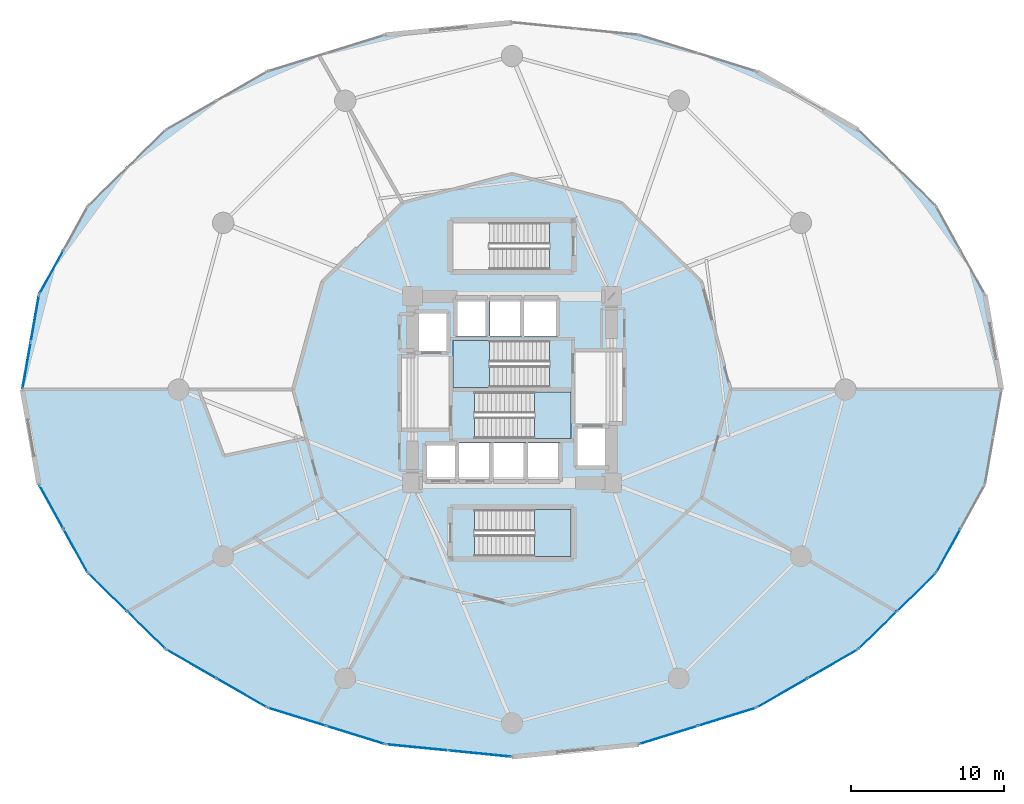
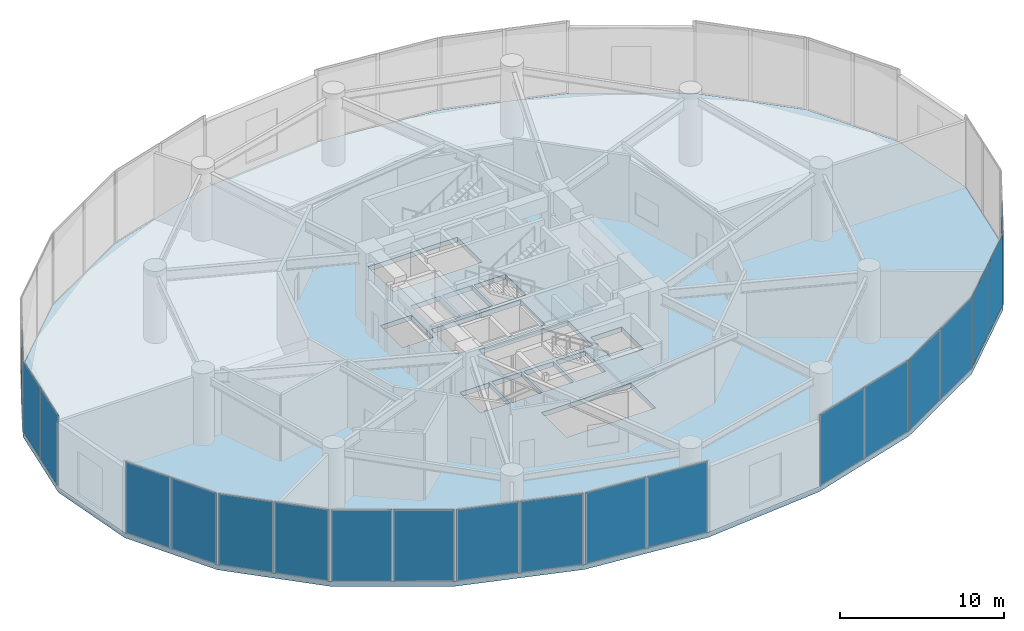
# One storey, part 20 of 29: 20 plates, 4 slabs, 14 elements without a shape of their own.
"""IFC4 building model written with IfcOpenShell, lengths in metres."""

from ifc_helpers import new_model, si_unit, direction, frame, origin, origin_2d, place, context, subcontext, project, spatial, polyline, rectangle, outline, extrude, source, transform, mapped, material, layer, layer_set, type_object, element, aggregate, save


model = new_model("IFC4")

# Units and contexts
model_context = context("Model", 3, precision=1e-05, world=origin(), true_north=direction((0.0, 1.0)))
body_context = subcontext(model_context, "Body", "Model", "MODEL_VIEW")
ifc_project = project(units=[si_unit("LENGTHUNIT", "METRE"), si_unit("AREAUNIT", "SQUARE_METRE"), si_unit("VOLUMEUNIT", "CUBIC_METRE"), si_unit("PLANEANGLEUNIT", "RADIAN"), si_unit("MASSUNIT", "GRAM", prefix="KILO")], contexts=[model_context])

# Site, building, storey
site_placement = place(None, origin())
site = spatial("IfcSite", under=ifc_project, at=site_placement, CompositionType="ELEMENT")
building_placement = place(site_placement, origin())
building = spatial("IfcBuilding", under=site, at=building_placement, Name="Solvirekh Grand Hotel", CompositionType="ELEMENT")
storey_placement = place(building_placement, frame((0.0, 0.0, 7.199951171875)))
storey = spatial("IfcBuildingStorey", under=building, at=storey_placement, Name="L01", CompositionType="ELEMENT", Elevation=7.199951171875)

# Stair, slab
ifc_material_1 = material(Name="Concrete C40/50", Category="concrete")
stair_type_1 = type_object("IfcStairType", Name="Stair_Pod_1600", PredefinedType="HALF_TURN_STAIR", material=ifc_material_1)
stair_1_placement = place(storey_placement, origin())
stair_1 = element("IfcStair", 1, at=stair_1_placement, inside=storey, type_object=stair_type_1, Name="L01 Enclosed exit stair ST-3", PredefinedType="HALF_TURN_STAIR")
ifc_layer_1 = layer(ifc_material_1, 0.219970703125)
ifc_layer_set_1 = layer_set([ifc_layer_1], Name="Concrete C40/50")
slab_type_1 = type_object("IfcSlabType", Name="Landing_PodStair_220", PredefinedType="LANDING", material=ifc_layer_set_1)
slab_1_placement = place(storey_placement, frame((0.0, 0.0, 2.5)))
slab_1 = element("IfcSlab", 2, at=slab_1_placement, type_object=slab_type_1, Name="ST-3 landing 1", PredefinedType="LANDING", context=body_context, shape_type="SweptSolid", body=[
    extrude(outline(polyline([(1.469970703125, -10.89990234375), (3.85009765625, -10.89990234375), (3.85009765625, -7.85009765625), (1.469970703125, -7.85009765625), (1.469970703125, -10.89990234375)])), origin(), (0.0, 0.0, 1.0), 0.199951171875),
])
aggregate(stair_1, [slab_1])

stair_type_2 = type_object("IfcStairType", Name="Stair_Core_1450", PredefinedType="HALF_TURN_STAIR", material=ifc_material_1)
stair_2_placement = place(storey_placement, origin())
stair_2 = element("IfcStair", 3, at=stair_2_placement, inside=storey, type_object=stair_type_2, Name="L01 Enclosed exit stair ST-1", PredefinedType="HALF_TURN_STAIR")
ifc_layer_2 = layer(ifc_material_1, 0.199951171875)
ifc_layer_set_2 = layer_set([ifc_layer_2], Name="Concrete C40/50")
slab_type_2 = type_object("IfcSlabType", Name="Landing_Stair_200", PredefinedType="LANDING", material=ifc_layer_set_2)
slab_2_placement = place(storey_placement, frame((0.0, 0.0, 2.5)))
slab_2 = element("IfcSlab", 4, at=slab_2_placement, type_object=slab_type_2, Name="ST-1 landing 1", PredefinedType="LANDING", context=body_context, shape_type="SweptSolid", body=[
    extrude(outline(polyline([(1.469970703125, -3.199951171875), (3.85009765625, -3.199951171875), (3.85009765625, -0.14990234375), (1.469970703125, -0.14990234375), (1.469970703125, -3.199951171875)])), origin(), (0.0, 0.0, 1.0), 0.199951171875),
])
aggregate(stair_2, [slab_2])

stair_3_placement = place(storey_placement, origin())
stair_3 = element("IfcStair", 5, at=stair_3_placement, inside=storey, type_object=stair_type_2, Name="L01 Enclosed exit stair ST-2", PredefinedType="HALF_TURN_STAIR")
slab_3_placement = place(storey_placement, frame((0.0, 0.0, 2.5)))
slab_3 = element("IfcSlab", 6, at=slab_3_placement, type_object=slab_type_2, Name="ST-2 landing 1", PredefinedType="LANDING", context=body_context, shape_type="SweptSolid", body=[
    extrude(outline(polyline([(-1.469970703125, 3.199951171875), (-3.85009765625, 3.199951171875), (-3.85009765625, 0.14990234375), (-1.469970703125, 0.14990234375), (-1.469970703125, 3.199951171875)])), origin(), (0.0, 0.0, 1.0), 0.199951171875),
])
aggregate(stair_3, [slab_3])

# Slab
ifc_material_2 = material(Name="Concrete C50/60", Category="concrete")
ifc_layer_3 = layer(ifc_material_2, 0.360107421875)
ifc_layer_set_3 = layer_set([ifc_layer_3], Name="Concrete C50/60")
slab_type_3 = type_object("IfcSlabType", Name="Slab_Podium_360", PredefinedType="FLOOR", material=ifc_layer_set_3)
slab_4_placement = place(storey_placement, frame((0.0, 0.0, -0.35986328125)))
element("IfcSlab", 7, at=slab_4_placement, inside=storey, type_object=slab_type_3, Name="L01 structural floor slab", PredefinedType="FLOOR", context=body_context, shape_type="SweptSolid", body=[
    extrude(outline(polyline([(32.0, 0.0), (30.909912109375, 6.2119140625), (27.712890625, 12.0), (22.626953125, 16.970947265625), (16.0, 20.784912109375), (8.281982421875, 23.181884765625), (0.0, 24.0), (-8.281982421875, 23.181884765625), (-16.0, 20.784912109375), (-22.626953125, 16.970947265625), (-27.712890625, 12.0), (-30.909912109375, 6.2119140625), (-32.0, 0.0), (-30.909912109375, -6.2119140625), (-27.712890625, -12.0), (-22.626953125, -16.970947265625), (-16.0, -20.784912109375), (-8.281982421875, -23.181884765625), (0.0, -24.0), (8.281982421875, -23.181884765625), (16.0, -20.784912109375), (22.626953125, -16.970947265625), (27.712890625, -12.0), (30.909912109375, -6.2119140625), (32.0, 0.0)]), holes=[polyline([(-2.444091796875, -0.14990234375), (3.85009765625, -0.14990234375), (3.85009765625, -3.199951171875), (-2.444091796875, -3.199951171875), (-2.444091796875, -0.14990234375)]), polyline([(2.444091796875, 0.14990234375), (-3.85009765625, 0.14990234375), (-3.85009765625, 3.199951171875), (2.444091796875, 3.199951171875), (2.444091796875, 0.14990234375)]), polyline([(-2.444091796875, -7.85009765625), (3.85009765625, -7.85009765625), (3.85009765625, -10.89990234375), (-2.444091796875, -10.89990234375), (-2.444091796875, -7.85009765625)]), polyline([(2.444091796875, 7.85009765625), (-3.85009765625, 7.85009765625), (-3.85009765625, 10.89990234375), (2.444091796875, 10.89990234375), (2.444091796875, 7.85009765625)]), polyline([(-5.699951171875, -3.5), (-3.60009765625, -3.5), (-3.60009765625, -6.0), (-5.699951171875, -6.0), (-5.699951171875, -3.5)]), polyline([(-3.449951171875, -3.5), (-1.35009765625, -3.5), (-1.35009765625, -6.0), (-3.449951171875, -6.0), (-3.449951171875, -3.5)]), polyline([(-1.199951171875, -3.5), (0.89990234375, -3.5), (0.89990234375, -6.0), (-1.199951171875, -6.0), (-1.199951171875, -3.5)]), polyline([(1.050048828125, -3.5), (3.14990234375, -3.5), (3.14990234375, -6.0), (1.050048828125, -6.0), (1.050048828125, -3.5)]), polyline([(-3.699951171875, 6.0), (-1.60009765625, 6.0), (-1.60009765625, 3.5), (-3.699951171875, 3.5), (-3.699951171875, 6.0)]), polyline([(-1.449951171875, 6.0), (0.64990234375, 6.0), (0.64990234375, 3.5), (-1.449951171875, 3.5), (-1.449951171875, 6.0)]), polyline([(0.800048828125, 6.0), (3.0, 6.0), (3.0, 3.5), (0.800048828125, 3.5), (0.800048828125, 6.0)]), polyline([(-6.35009765625, 5.10009765625), (-4.14990234375, 5.10009765625), (-4.14990234375, 2.39990234375), (-6.35009765625, 2.39990234375), (-6.35009765625, 5.10009765625)]), polyline([(4.14990234375, -2.39990234375), (6.35009765625, -2.39990234375), (6.35009765625, -5.10009765625), (4.14990234375, -5.10009765625), (4.14990234375, -2.39990234375)])]), origin(), (0.0, 0.0, 1.0), 0.35986328125),
])

# Curtain wall, plate
ifc_material_3 = material(Name="Anodized Bronze Aluminium 6063-T6", Category="aluminium")
ifc_layer_4 = layer(ifc_material_3, 0.219970703125)
ifc_layer_set_4 = layer_set([ifc_layer_4], Name="Anodized Bronze Aluminium 6063-T6")
curtain_wall_type = type_object("IfcCurtainWallType", Name="CW_Sys1_PodiumBronzeUnitised", PredefinedType="NOTDEFINED", material=ifc_layer_set_4)
curtain_wall_1_placement = place(storey_placement, origin())
curtain_wall_1 = element("IfcCurtainWall", 8, at=curtain_wall_1_placement, inside=storey, type_object=curtain_wall_type, Name="L01 unitised bronze-glass curtain wall CW-L01-C11", PredefinedType="NOTDEFINED")
ifc_material_4 = material(Name="Low-E Tinted Bronze Laminated Glass", Category="aluminium")
ifc_layer_5 = layer(ifc_material_4, 0.0439453125)
ifc_layer_set_5 = layer_set([ifc_layer_5], Name="Low-E Tinted Bronze Laminated Glass")
plate_type = type_object("IfcPlateType", Name="CWPanel_Podium_44", PredefinedType="CURTAIN_PANEL", material=ifc_layer_set_5)
shared_shape_1 = source(origin(), body_context, "Body", "SweptSolid", [
    extrude(rectangle(XDim=3.193603515625, YDim=0.0439453125, at=origin_2d()), origin(), (0.0, 0.0, 1.0), 5.27001953125),
])
plate_1_placement = place(storey_placement, frame((-30.1015625, 7.67529296875, 0.06494140625), z_axis=(0.0, 0.0, 1.0), x_axis=(-0.48349707719, -0.875345975229, 0.0)))
plate_1 = element("IfcPlate", 9, at=plate_1_placement, type_object=plate_type, Name="U01 panel 2.1", PredefinedType="CURTAIN_PANEL", context=body_context, shape_type="MappedRepresentation", body=[
    mapped(shared_shape_1, transform((0.0, 0.0, 0.0), x_axis=(1.0, 0.0, 0.0), y_axis=(0.0, 1.0, 0.0), z_axis=(0.0, 0.0, 1.0), scale=1.0)),
])
aggregate(curtain_wall_1, [plate_1])

# Curtain wall, plates
curtain_wall_2_placement = place(storey_placement, origin())
curtain_wall_2 = element("IfcCurtainWall", 10, at=curtain_wall_2_placement, inside=storey, type_object=curtain_wall_type, Name="L01 unitised bronze-glass curtain wall CW-L01-C14", PredefinedType="NOTDEFINED")
plate_2_placement = place(storey_placement, frame((-30.1015625, -7.67529296875, 0.06494140625), z_axis=(0.0, 0.0, 1.0), x_axis=(0.48349707719, -0.875345975229, 0.0)))
plate_2 = element("IfcPlate", 11, at=plate_2_placement, type_object=plate_type, Name="U01 panel 1.1", PredefinedType="CURTAIN_PANEL", context=body_context, shape_type="MappedRepresentation", body=[
    mapped(shared_shape_1, transform((0.0, 0.0, 0.0), x_axis=(1.0, 0.0, 0.0), y_axis=(0.0, 1.0, 0.0), z_axis=(0.0, 0.0, 1.0), scale=1.0)),
])
plate_3_placement = place(storey_placement, frame((-28.521240234375, -10.53662109375, 0.06494140625), z_axis=(0.0, 0.0, 1.0), x_axis=(0.48349707719, -0.875345975229, 0.0)))
plate_3 = element("IfcPlate", 12, at=plate_3_placement, type_object=plate_type, Name="U01 panel 2.1", PredefinedType="CURTAIN_PANEL", context=body_context, shape_type="MappedRepresentation", body=[
    mapped(shared_shape_1, transform((0.0, 0.0, 0.0), x_axis=(1.0, 0.0, 0.0), y_axis=(0.0, 1.0, 0.0), z_axis=(0.0, 0.0, 1.0), scale=1.0)),
])
aggregate(curtain_wall_2, [plate_2, plate_3])

# Curtain wall, plate
curtain_wall_3_placement = place(storey_placement, origin())
curtain_wall_3 = element("IfcCurtainWall", 13, at=curtain_wall_3_placement, inside=storey, type_object=curtain_wall_type, Name="L01 unitised bronze-glass curtain wall CW-L01-C23", PredefinedType="NOTDEFINED")
plate_4_placement = place(storey_placement, frame((28.521240234375, -10.53662109375, 0.06494140625), z_axis=(0.0, 0.0, 1.0), x_axis=(0.48349707719, 0.875345975229, 0.0)))
plate_4 = element("IfcPlate", 14, at=plate_4_placement, type_object=plate_type, Name="U01 panel 1.1", PredefinedType="CURTAIN_PANEL", context=body_context, shape_type="MappedRepresentation", body=[
    mapped(shared_shape_1, transform((0.0, 0.0, 0.0), x_axis=(1.0, 0.0, 0.0), y_axis=(0.0, 1.0, 0.0), z_axis=(0.0, 0.0, 1.0), scale=1.0)),
])
aggregate(curtain_wall_3, [plate_4])

# Curtain wall, plates
curtain_wall_4_placement = place(storey_placement, origin())
curtain_wall_4 = element("IfcCurtainWall", 15, at=curtain_wall_4_placement, inside=storey, type_object=curtain_wall_type, Name="L01 unitised bronze-glass curtain wall CW-L01-C15", PredefinedType="NOTDEFINED")
shared_shape_2 = source(origin(), body_context, "Body", "SweptSolid", [
    extrude(rectangle(XDim=3.443359375, YDim=0.0439453125, at=origin_2d()), origin(), (0.0, 0.0, 1.0), 5.27001953125),
])
plate_5_placement = place(storey_placement, frame((-26.427978515625, -13.255859375, 0.06494140625), z_axis=(0.0, 0.0, 1.0), x_axis=(0.715145668062, -0.698975445529, 0.0)))
plate_5 = element("IfcPlate", 16, at=plate_5_placement, type_object=plate_type, Name="U01 panel 1.1", PredefinedType="CURTAIN_PANEL", context=body_context, shape_type="MappedRepresentation", body=[
    mapped(shared_shape_2, transform((0.0, 0.0, 0.0), x_axis=(1.0, 0.0, 0.0), y_axis=(0.0, 1.0, 0.0), z_axis=(0.0, 0.0, 1.0), scale=1.0)),
])
plate_6_placement = place(storey_placement, frame((-23.911865234375, -15.715087890625, 0.06494140625), z_axis=(0.0, 0.0, 1.0), x_axis=(0.715145668062, -0.698975445529, 0.0)))
plate_6 = element("IfcPlate", 17, at=plate_6_placement, type_object=plate_type, Name="U01 panel 2.1", PredefinedType="CURTAIN_PANEL", context=body_context, shape_type="MappedRepresentation", body=[
    mapped(shared_shape_2, transform((0.0, 0.0, 0.0), x_axis=(1.0, 0.0, 0.0), y_axis=(0.0, 1.0, 0.0), z_axis=(0.0, 0.0, 1.0), scale=1.0)),
])
aggregate(curtain_wall_4, [plate_5, plate_6])

curtain_wall_5_placement = place(storey_placement, origin())
curtain_wall_5 = element("IfcCurtainWall", 18, at=curtain_wall_5_placement, inside=storey, type_object=curtain_wall_type, Name="L01 unitised bronze-glass curtain wall CW-L01-C22", PredefinedType="NOTDEFINED")
plate_7_placement = place(storey_placement, frame((23.911865234375, -15.715087890625, 0.06494140625), z_axis=(0.0, 0.0, 1.0), x_axis=(0.715145668062, 0.698975445529, 0.0)))
plate_7 = element("IfcPlate", 19, at=plate_7_placement, type_object=plate_type, Name="U01 panel 1.1", PredefinedType="CURTAIN_PANEL", context=body_context, shape_type="MappedRepresentation", body=[
    mapped(shared_shape_2, transform((0.0, 0.0, 0.0), x_axis=(1.0, 0.0, 0.0), y_axis=(0.0, 1.0, 0.0), z_axis=(0.0, 0.0, 1.0), scale=1.0)),
])
plate_8_placement = place(storey_placement, frame((26.427978515625, -13.255859375, 0.06494140625), z_axis=(0.0, 0.0, 1.0), x_axis=(0.715145668062, 0.698975445529, 0.0)))
plate_8 = element("IfcPlate", 20, at=plate_8_placement, type_object=plate_type, Name="U01 panel 2.1", PredefinedType="CURTAIN_PANEL", context=body_context, shape_type="MappedRepresentation", body=[
    mapped(shared_shape_2, transform((0.0, 0.0, 0.0), x_axis=(1.0, 0.0, 0.0), y_axis=(0.0, 1.0, 0.0), z_axis=(0.0, 0.0, 1.0), scale=1.0)),
])
aggregate(curtain_wall_5, [plate_7, plate_8])

curtain_wall_6_placement = place(storey_placement, origin())
curtain_wall_6 = element("IfcCurtainWall", 21, at=curtain_wall_6_placement, inside=storey, type_object=curtain_wall_type, Name="L01 unitised bronze-glass curtain wall CW-L01-C17", PredefinedType="NOTDEFINED")
shared_shape_3 = source(origin(), body_context, "Body", "SweptSolid", [
    extrude(rectangle(XDim=3.92822265625, YDim=0.0439453125, at=origin_2d()), origin(), (0.0, 0.0, 1.0), 5.27001953125),
])
plate_9_placement = place(storey_placement, frame((-14.052490234375, -21.389892578125, 0.06494140625), z_axis=(0.0, 0.0, 1.0), x_axis=(0.955002516074, -0.296597697719, 0.0)))
plate_9 = element("IfcPlate", 22, at=plate_9_placement, type_object=plate_type, Name="U01 panel 1.1", PredefinedType="CURTAIN_PANEL", context=body_context, shape_type="MappedRepresentation", body=[
    mapped(shared_shape_3, transform((0.0, 0.0, 0.0), x_axis=(1.0, 0.0, 0.0), y_axis=(0.0, 1.0, 0.0), z_axis=(0.0, 0.0, 1.0), scale=1.0)),
])
plate_10_placement = place(storey_placement, frame((-10.2294921875, -22.5771484375, 0.06494140625), z_axis=(0.0, 0.0, 1.0), x_axis=(0.955002516074, -0.296597697719, 0.0)))
plate_10 = element("IfcPlate", 23, at=plate_10_placement, type_object=plate_type, Name="U01 panel 2.1", PredefinedType="CURTAIN_PANEL", context=body_context, shape_type="MappedRepresentation", body=[
    mapped(shared_shape_3, transform((0.0, 0.0, 0.0), x_axis=(1.0, 0.0, 0.0), y_axis=(0.0, 1.0, 0.0), z_axis=(0.0, 0.0, 1.0), scale=1.0)),
])
aggregate(curtain_wall_6, [plate_9, plate_10])

curtain_wall_7_placement = place(storey_placement, origin())
curtain_wall_7 = element("IfcCurtainWall", 24, at=curtain_wall_7_placement, inside=storey, type_object=curtain_wall_type, Name="L01 unitised bronze-glass curtain wall CW-L01-C20", PredefinedType="NOTDEFINED")
plate_11_placement = place(storey_placement, frame((10.2294921875, -22.5771484375, 0.06494140625), z_axis=(0.0, 0.0, 1.0), x_axis=(0.955002516074, 0.296597697719, 0.0)))
plate_11 = element("IfcPlate", 25, at=plate_11_placement, type_object=plate_type, Name="U01 panel 1.1", PredefinedType="CURTAIN_PANEL", context=body_context, shape_type="MappedRepresentation", body=[
    mapped(shared_shape_3, transform((0.0, 0.0, 0.0), x_axis=(1.0, 0.0, 0.0), y_axis=(0.0, 1.0, 0.0), z_axis=(0.0, 0.0, 1.0), scale=1.0)),
])
plate_12_placement = place(storey_placement, frame((14.052490234375, -21.389892578125, 0.06494140625), z_axis=(0.0, 0.0, 1.0), x_axis=(0.955002516074, 0.296597697719, 0.0)))
plate_12 = element("IfcPlate", 26, at=plate_12_placement, type_object=plate_type, Name="U01 panel 2.1", PredefinedType="CURTAIN_PANEL", context=body_context, shape_type="MappedRepresentation", body=[
    mapped(shared_shape_3, transform((0.0, 0.0, 0.0), x_axis=(1.0, 0.0, 0.0), y_axis=(0.0, 1.0, 0.0), z_axis=(0.0, 0.0, 1.0), scale=1.0)),
])
aggregate(curtain_wall_7, [plate_11, plate_12])

curtain_wall_8_placement = place(storey_placement, origin())
curtain_wall_8 = element("IfcCurtainWall", 27, at=curtain_wall_8_placement, inside=storey, type_object=curtain_wall_type, Name="L01 unitised bronze-glass curtain wall CW-L01-C18", PredefinedType="NOTDEFINED")
shared_shape_4 = source(origin(), body_context, "Body", "SweptSolid", [
    extrude(rectangle(XDim=4.048583984375, YDim=0.0439453125, at=origin_2d()), origin(), (0.0, 0.0, 1.0), 5.27001953125),
])
plate_13_placement = place(storey_placement, frame((-6.19287109375, -23.388427734375, 0.06494140625), z_axis=(0.0, 0.0, 1.0), x_axis=(0.995157799072, -0.098290156916, 0.0)))
plate_13 = element("IfcPlate", 28, at=plate_13_placement, type_object=plate_type, Name="U01 panel 1.1", PredefinedType="CURTAIN_PANEL", context=body_context, shape_type="MappedRepresentation", body=[
    mapped(shared_shape_4, transform((0.0, 0.0, 0.0), x_axis=(1.0, 0.0, 0.0), y_axis=(0.0, 1.0, 0.0), z_axis=(0.0, 0.0, 1.0), scale=1.0)),
])
plate_14_placement = place(storey_placement, frame((-2.089111328125, -23.793701171875, 0.06494140625), z_axis=(0.0, 0.0, 1.0), x_axis=(0.995157799072, -0.098290156916, 0.0)))
plate_14 = element("IfcPlate", 29, at=plate_14_placement, type_object=plate_type, Name="U01 panel 2.1", PredefinedType="CURTAIN_PANEL", context=body_context, shape_type="MappedRepresentation", body=[
    mapped(shared_shape_4, transform((0.0, 0.0, 0.0), x_axis=(1.0, 0.0, 0.0), y_axis=(0.0, 1.0, 0.0), z_axis=(0.0, 0.0, 1.0), scale=1.0)),
])
aggregate(curtain_wall_8, [plate_13, plate_14])

curtain_wall_9_placement = place(storey_placement, origin())
curtain_wall_9 = element("IfcCurtainWall", 30, at=curtain_wall_9_placement, inside=storey, type_object=curtain_wall_type, Name="L01 unitised bronze-glass curtain wall CW-L01-C16", PredefinedType="NOTDEFINED")
shared_shape_5 = source(origin(), body_context, "Body", "SweptSolid", [
    extrude(rectangle(XDim=3.710693359375, YDim=0.0439453125, at=origin_2d()), origin(), (0.0, 0.0, 1.0), 5.27001953125),
])
plate_15_placement = place(storey_placement, frame((-20.9541015625, -17.933837890625, 0.06494140625), z_axis=(0.0, 0.0, 1.0), x_axis=(0.8667098438, -0.498812636829, 0.0)))
plate_15 = element("IfcPlate", 31, at=plate_15_placement, type_object=plate_type, Name="U01 panel 1.1", PredefinedType="CURTAIN_PANEL", context=body_context, shape_type="MappedRepresentation", body=[
    mapped(shared_shape_5, transform((0.0, 0.0, 0.0), x_axis=(1.0, 0.0, 0.0), y_axis=(0.0, 1.0, 0.0), z_axis=(0.0, 0.0, 1.0), scale=1.0)),
])
plate_16_placement = place(storey_placement, frame((-17.673095703125, -19.822265625, 0.06494140625), z_axis=(0.0, 0.0, 1.0), x_axis=(0.8667098438, -0.498812636829, 0.0)))
plate_16 = element("IfcPlate", 32, at=plate_16_placement, type_object=plate_type, Name="U01 panel 2.1", PredefinedType="CURTAIN_PANEL", context=body_context, shape_type="MappedRepresentation", body=[
    mapped(shared_shape_5, transform((0.0, 0.0, 0.0), x_axis=(1.0, 0.0, 0.0), y_axis=(0.0, 1.0, 0.0), z_axis=(0.0, 0.0, 1.0), scale=1.0)),
])
aggregate(curtain_wall_9, [plate_15, plate_16])

curtain_wall_10_placement = place(storey_placement, origin())
curtain_wall_10 = element("IfcCurtainWall", 33, at=curtain_wall_10_placement, inside=storey, type_object=curtain_wall_type, Name="L01 unitised bronze-glass curtain wall CW-L01-C21", PredefinedType="NOTDEFINED")
plate_17_placement = place(storey_placement, frame((17.673095703125, -19.822265625, 0.06494140625), z_axis=(0.0, 0.0, 1.0), x_axis=(0.8667098438, 0.498812636829, 0.0)))
plate_17 = element("IfcPlate", 34, at=plate_17_placement, type_object=plate_type, Name="U01 panel 1.1", PredefinedType="CURTAIN_PANEL", context=body_context, shape_type="MappedRepresentation", body=[
    mapped(shared_shape_5, transform((0.0, 0.0, 0.0), x_axis=(1.0, 0.0, 0.0), y_axis=(0.0, 1.0, 0.0), z_axis=(0.0, 0.0, 1.0), scale=1.0)),
])
plate_18_placement = place(storey_placement, frame((20.9541015625, -17.933837890625, 0.06494140625), z_axis=(0.0, 0.0, 1.0), x_axis=(0.8667098438, 0.498812636829, 0.0)))
plate_18 = element("IfcPlate", 35, at=plate_18_placement, type_object=plate_type, Name="U01 panel 2.1", PredefinedType="CURTAIN_PANEL", context=body_context, shape_type="MappedRepresentation", body=[
    mapped(shared_shape_5, transform((0.0, 0.0, 0.0), x_axis=(1.0, 0.0, 0.0), y_axis=(0.0, 1.0, 0.0), z_axis=(0.0, 0.0, 1.0), scale=1.0)),
])
aggregate(curtain_wall_10, [plate_17, plate_18])

curtain_wall_11_placement = place(storey_placement, origin())
curtain_wall_11 = element("IfcCurtainWall", 36, at=curtain_wall_11_placement, inside=storey, type_object=curtain_wall_type, Name="L01 unitised bronze-glass curtain wall CW-L01-C12", PredefinedType="NOTDEFINED")
shared_shape_6 = source(origin(), body_context, "Body", "SweptSolid", [
    extrude(rectangle(XDim=3.041015625, YDim=0.0439453125, at=origin_2d()), origin(), (0.0, 0.0, 1.0), 5.27001953125),
])
plate_19_placement = place(storey_placement, frame((-31.185791015625, 4.640625, 0.06494140625), z_axis=(0.0, 0.0, 1.0), x_axis=(-0.172826464248, -0.984952289837, 0.0)))
plate_19 = element("IfcPlate", 37, at=plate_19_placement, type_object=plate_type, Name="U01 panel 1.1", PredefinedType="CURTAIN_PANEL", context=body_context, shape_type="MappedRepresentation", body=[
    mapped(shared_shape_6, transform((0.0, 0.0, 0.0), x_axis=(1.0, 0.0, 0.0), y_axis=(0.0, 1.0, 0.0), z_axis=(0.0, 0.0, 1.0), scale=1.0)),
])
plate_20_placement = place(storey_placement, frame((-31.724365234375, 1.571533203125, 0.06494140625), z_axis=(0.0, 0.0, 1.0), x_axis=(-0.172826464248, -0.984952289837, 0.0)))
plate_20 = element("IfcPlate", 38, at=plate_20_placement, type_object=plate_type, Name="U01 panel 2.1", PredefinedType="CURTAIN_PANEL", context=body_context, shape_type="MappedRepresentation", body=[
    mapped(shared_shape_6, transform((0.0, 0.0, 0.0), x_axis=(1.0, 0.0, 0.0), y_axis=(0.0, 1.0, 0.0), z_axis=(0.0, 0.0, 1.0), scale=1.0)),
])
aggregate(curtain_wall_11, [plate_19, plate_20])

save(model, "model.ifc")
